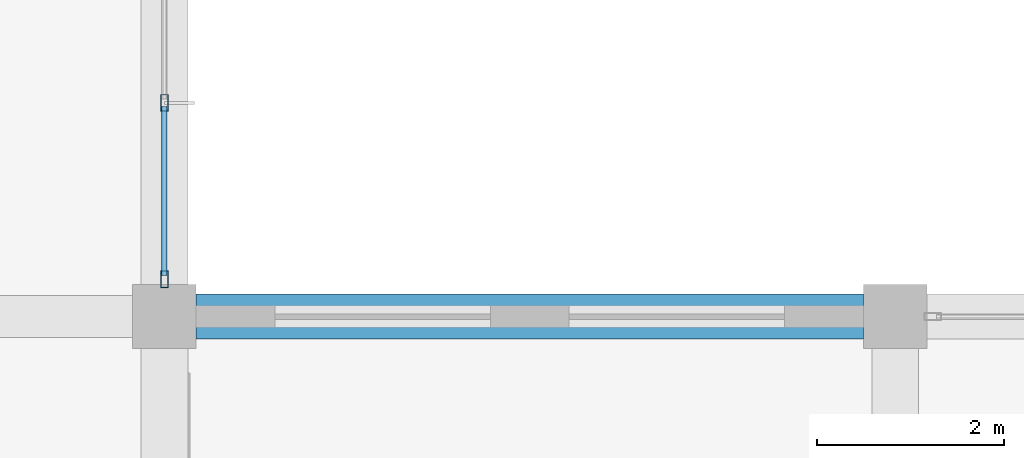
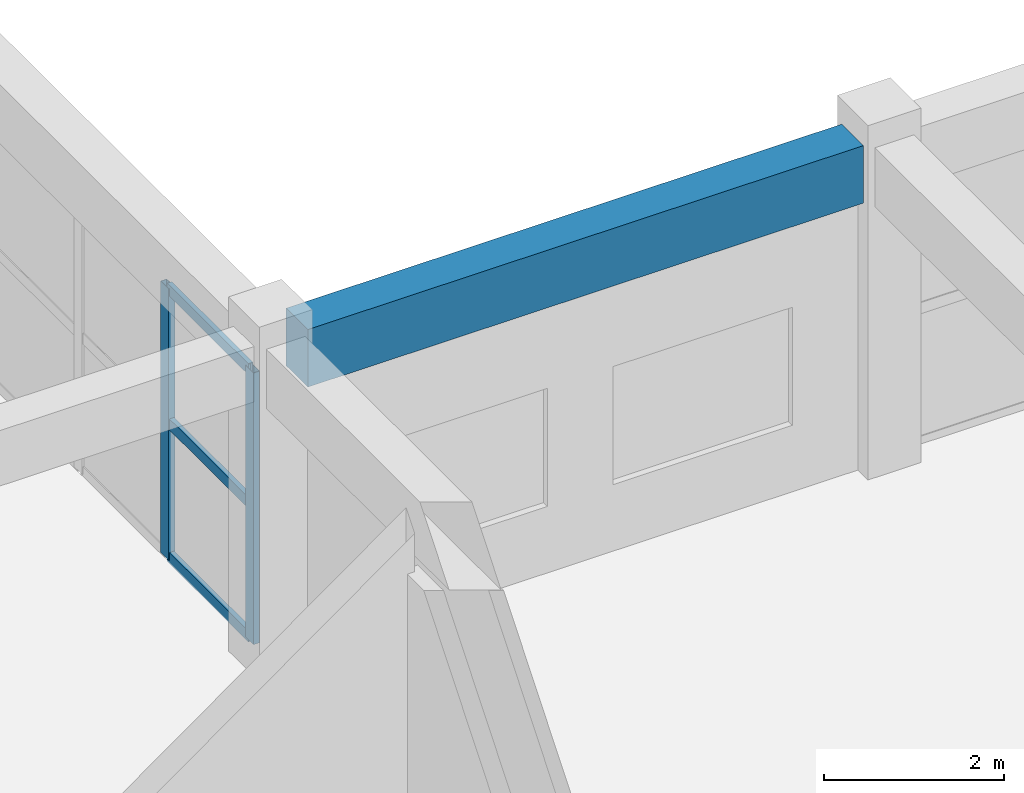
# One storey, part 107 of 175: 5 members, 1 beam, 1 element without a shape of its own.
"""IFC4 building model written with IfcOpenShell, lengths in metres."""

from ifc_helpers import new_model, si_unit, direction, frame, origin, origin_2d, place, context, subcontext, project, spatial, rectangle, hollow_rectangle, extrude, material, layer, layer_set, material_profile, profile_set, type_object, element, aggregate, save


model = new_model("IFC4")

# Units and contexts
model_context = context("Model", 3, precision=1e-05, world=origin(), true_north=direction((0.0, 1.0)))
body_context = subcontext(model_context, "Body", "Model", "MODEL_VIEW")
ifc_project = project(units=[si_unit("LENGTHUNIT", "METRE"), si_unit("AREAUNIT", "SQUARE_METRE"), si_unit("VOLUMEUNIT", "CUBIC_METRE"), si_unit("PLANEANGLEUNIT", "RADIAN"), si_unit("MASSUNIT", "GRAM", prefix="KILO")], contexts=[model_context])

# Site, building, storey
site_placement = place(None, origin())
site = spatial("IfcSite", under=ifc_project, at=site_placement, CompositionType="ELEMENT")
building_placement = place(site_placement, origin())
building = spatial("IfcBuilding", under=site, at=building_placement, Name="Zizhar Promenade General Hospital", CompositionType="ELEMENT")
storey_placement = place(building_placement, frame((0.0, 0.0, 4.800048828125)))
storey = spatial("IfcBuildingStorey", under=building, at=storey_placement, Name="L01", CompositionType="ELEMENT", Elevation=4.800048828125)

# Beam
ifc_material_1 = material(Name="Concrete C35/45", Category="concrete")
ifc_material_profile_1 = material_profile(ifc_material_1, rectangle(XDim=0.47998046875, YDim=0.780029296875, at=origin_2d()))
ifc_profile_set_1 = profile_set([ifc_material_profile_1], Name="Concrete C35/45")
beam_type = type_object("IfcBeamType", Name="BM-RC-480x780", PredefinedType="BEAM", material=ifc_profile_set_1)
beam_placement = place(storey_placement, frame((132.93994140625, 109.199951171875, 4.079833984375), z_axis=(1.0, 0.0, 0.0), x_axis=(0.0, 1.0, 0.0)))
element("IfcBeam", 1, at=beam_placement, inside=storey, type_object=beam_type, Name="Grid Beam X L01 (17-13)", PredefinedType="BEAM", context=body_context, shape_type="SweptSolid", body=[
    extrude(rectangle(XDim=0.47998046875, YDim=0.780029296875, at=origin_2d()), origin(), (0.0, 0.0, 1.0), 7.1201171875),
])

# Curtain wall, members
ifc_material_2 = material(Name="Anodised aluminium 6063-T6 and low-E glass", Category="aluminium")
ifc_layer = layer(ifc_material_2, 0.159912109375)
ifc_layer_set = layer_set([ifc_layer], Name="Anodised aluminium 6063-T6 and low-E glass")
curtain_wall_type = type_object("IfcCurtainWallType", Name="CW-DT-MOD1", PredefinedType="NOTDEFINED", material=ifc_layer_set)
curtain_wall_placement = place(storey_placement, origin())
curtain_wall = element("IfcCurtainWall", 2, at=curtain_wall_placement, inside=storey, type_object=curtain_wall_type, Name="Surgical East Glazed Curtain Wall L01-13", PredefinedType="NOTDEFINED")
ifc_material_3 = material(Name="Anodised aluminium 6063-T6", Category="aluminium")
ifc_material_profile_2 = material_profile(ifc_material_3, hollow_rectangle(XDim=0.080078125, YDim=0.179931640625, WallThickness=0.0048828125, at=origin_2d()))
ifc_profile_set_2 = profile_set([ifc_material_profile_2], Name="Anodised aluminium 6063-T6")
member_type_1 = type_object("IfcMemberType", Name="CWM-ALU-180x80", PredefinedType="MULLION", material=ifc_profile_set_2)
member_1_placement = place(storey_placement, frame((132.60009765625, 111.47998046875, 0.0), z_axis=(0.0, 0.0, 1.0), x_axis=(1.0, 0.0, 0.0)))
member_1 = element("IfcMember", 3, at=member_1_placement, type_object=member_type_1, Name="CW-07 mullion 4", PredefinedType="MULLION", context=body_context, shape_type="SweptSolid", body=[
    extrude(hollow_rectangle(XDim=0.080078125, YDim=0.179931640625, WallThickness=0.0048828125, at=origin_2d()), origin(), (0.0, 0.0, 1.0), 3.679931640625),
])
member_2_placement = place(storey_placement, frame((132.60009765625, 109.60009765625, 0.0), z_axis=(0.0, 0.0, 1.0), x_axis=(1.0, 0.0, 0.0)))
member_2 = element("IfcMember", 4, at=member_2_placement, type_object=member_type_1, Name="CW-07 mullion 5", PredefinedType="MULLION", context=body_context, shape_type="SweptSolid", body=[
    extrude(hollow_rectangle(XDim=0.080078125, YDim=0.179931640625, WallThickness=0.0048828125, at=origin_2d()), origin(), (0.0, 0.0, 1.0), 3.679931640625),
])
ifc_material_4 = material(Name="Anodised aluminium 6063-T6", Category="aluminium")
ifc_material_profile_3 = material_profile(ifc_material_4, hollow_rectangle(XDim=0.06005859375, YDim=0.14990234375, WallThickness=0.00390625, at=origin_2d()))
ifc_profile_set_3 = profile_set([ifc_material_profile_3], Name="Anodised aluminium 6063-T6")
member_type_2 = type_object("IfcMemberType", Name="CWT-ALU-150x60", PredefinedType="USERDEFINED", material=ifc_profile_set_3)
member_3_placement = place(storey_placement, frame((132.60009765625, 111.43994140625, 0.030029296875), z_axis=(0.0, -1.0, 0.0), x_axis=(1.0, 0.0, 0.0)))
member_3 = element("IfcMember", 5, at=member_3_placement, type_object=member_type_2, Name="CW-07 transom 4.1", ObjectType="TRANSOM", PredefinedType="USERDEFINED", context=body_context, shape_type="SweptSolid", body=[
    extrude(hollow_rectangle(XDim=0.06005859375, YDim=0.14990234375, WallThickness=0.00390625, at=origin_2d()), origin(), (0.0, 0.0, 1.0), 1.800048828125),
])
member_4_placement = place(storey_placement, frame((132.60009765625, 111.43994140625, 1.83984375), z_axis=(0.0, -1.0, 0.0), x_axis=(1.0, 0.0, 0.0)))
member_4 = element("IfcMember", 6, at=member_4_placement, type_object=member_type_2, Name="CW-07 transom 4.2", ObjectType="TRANSOM", PredefinedType="USERDEFINED", context=body_context, shape_type="SweptSolid", body=[
    extrude(hollow_rectangle(XDim=0.06005859375, YDim=0.14990234375, WallThickness=0.00390625, at=origin_2d()), origin(), (0.0, 0.0, 1.0), 1.800048828125),
])
member_5_placement = place(storey_placement, frame((132.60009765625, 111.43994140625, 3.64990234375), z_axis=(0.0, -1.0, 0.0), x_axis=(1.0, 0.0, 0.0)))
member_5 = element("IfcMember", 7, at=member_5_placement, type_object=member_type_2, Name="CW-07 transom 4.3", ObjectType="TRANSOM", PredefinedType="USERDEFINED", context=body_context, shape_type="SweptSolid", body=[
    extrude(hollow_rectangle(XDim=0.06005859375, YDim=0.14990234375, WallThickness=0.00390625, at=origin_2d()), origin(), (0.0, 0.0, 1.0), 1.800048828125),
])
aggregate(curtain_wall, [member_1, member_2, member_3, member_4, member_5])

save(model, "model.ifc")
